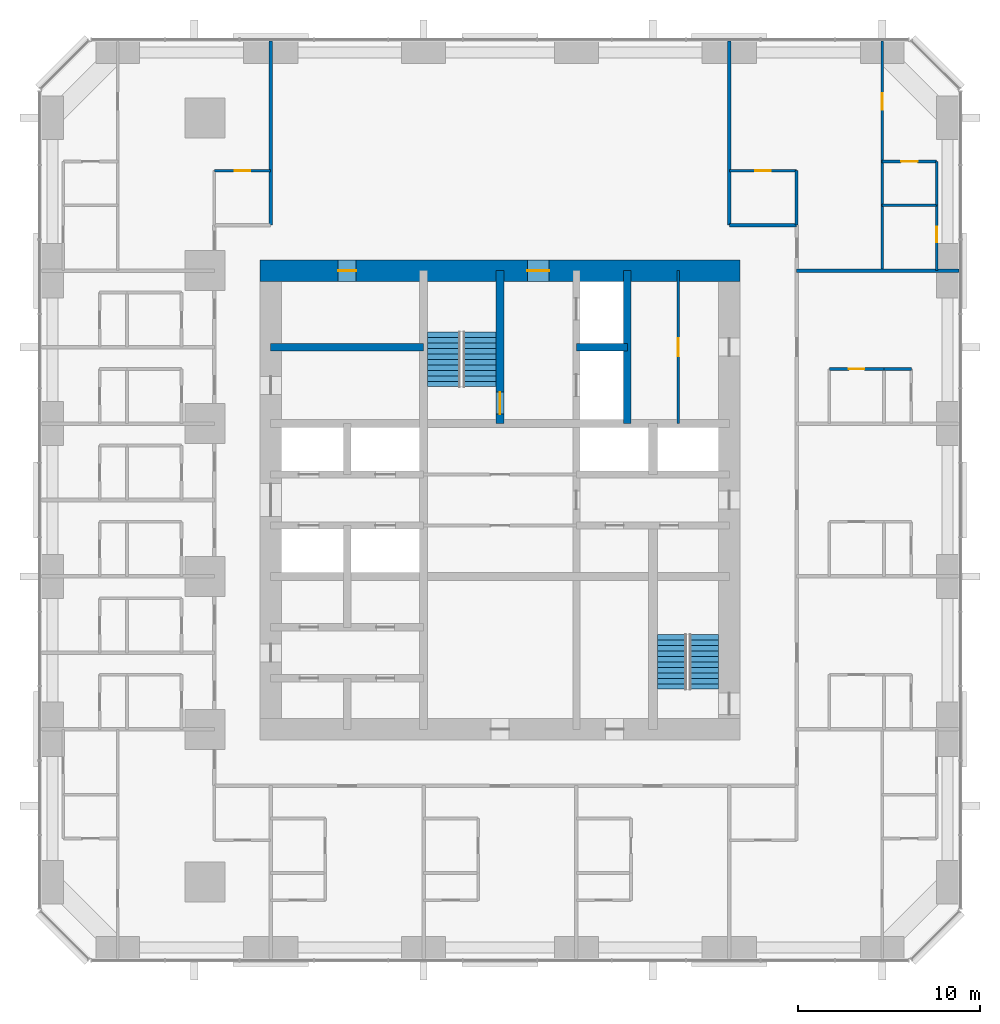
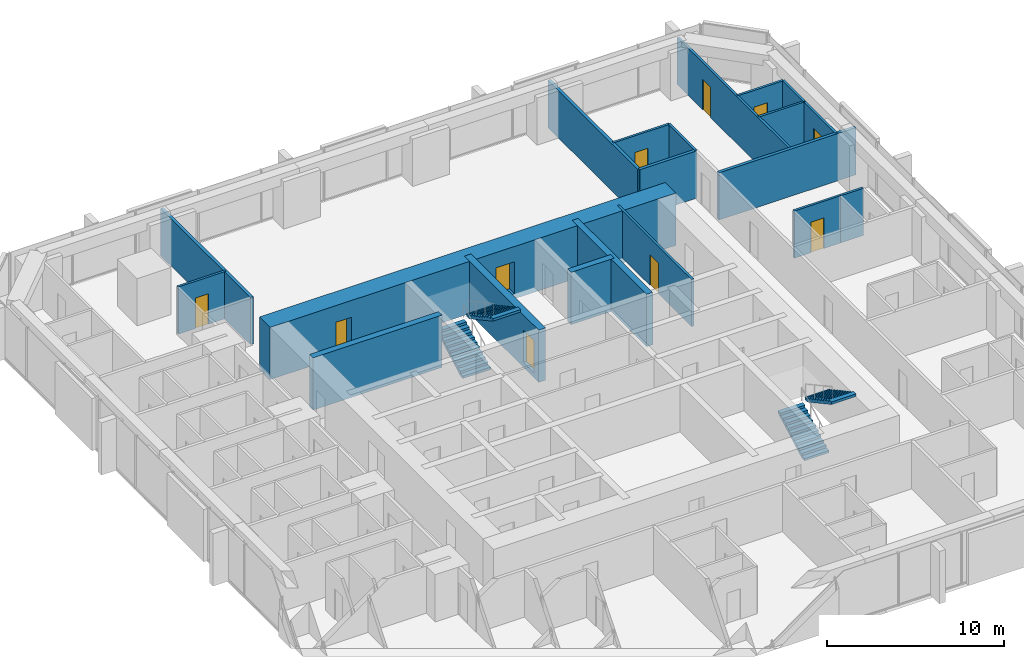
# One storey, part 12 of 13: 20 walls, 10 doors, 4 stair flights, 10 openings, 2 elements without a shape of their own.
"""IFC4 building model written with IfcOpenShell, lengths in metres."""

from ifc_helpers import new_model, si_unit, direction, frame, frame_2d, origin, place, context, subcontext, project, spatial, polyline, rectangle, outline, extrude, material, layer, layer_set, type_object, element, fill, aggregate, save


model = new_model("IFC4")

# Units and contexts
model_context = context("Model", 3, precision=1e-05, world=origin(), true_north=direction((0.0, 1.0)))
body_context = subcontext(model_context, "Body", "Model", "MODEL_VIEW")
ifc_project = project(units=[si_unit("LENGTHUNIT", "METRE"), si_unit("AREAUNIT", "SQUARE_METRE"), si_unit("VOLUMEUNIT", "CUBIC_METRE"), si_unit("PLANEANGLEUNIT", "RADIAN"), si_unit("MASSUNIT", "GRAM", prefix="KILO")], contexts=[model_context])

# Site, building, storey
site_placement = place(None, origin())
site = spatial("IfcSite", under=ifc_project, at=site_placement, CompositionType="ELEMENT")
building_placement = place(site_placement, origin())
building = spatial("IfcBuilding", under=site, at=building_placement, Name="Dunama Terrace Hotel", CompositionType="ELEMENT")
storey_placement = place(building_placement, frame((0.0, 0.0, 162.60009765625)))
storey = spatial("IfcBuildingStorey", under=building, at=storey_placement, Name="L41", CompositionType="ELEMENT", Elevation=162.60009765625)

# Wall
ifc_material_1 = material(Name="Gypsum board partition", Category="masonry")
ifc_layer_1 = layer(ifc_material_1, 0.14990234375)
ifc_layer_set_1 = layer_set([ifc_layer_1], Name="Bathroom partition 150")
wall_type_1 = type_object("IfcWallType", Name="Bathroom partition 150", PredefinedType="PARTITIONING", material=ifc_layer_set_1)
wall_1_placement = place(storey_placement, frame((45.699951171875, 44.5, 0.0), z_axis=(0.0, 0.0, 1.0), x_axis=(0.0, 1.0, 0.0)))
element("IfcWall", 1, at=wall_1_placement, inside=storey, type_object=wall_type_1, Name="Bathroom partition 150 L41", PredefinedType="PARTITIONING", context=body_context, shape_type="SweptSolid", body=[
    extrude(rectangle(XDim=3.0, YDim=0.14990234375, at=frame_2d((1.5, 0.0))), origin(), (0.0, 0.0, 1.0), 3.25),
])

# Wall, opening, door
wall_2_placement = place(storey_placement, frame((53.39990234375, 42.0, 0.0), z_axis=(0.0, 0.0, 1.0), x_axis=(0.0, 1.0, 0.0)))
wall_2 = element("IfcWall", 2, at=wall_2_placement, inside=storey, type_object=wall_type_1, Name="Bathroom partition 150 L41", PredefinedType="PARTITIONING", context=body_context, shape_type="SweptSolid", body=[
    extrude(rectangle(XDim=3.60009765625, YDim=0.14990234375, at=frame_2d((1.800048828125, 0.0))), origin(), (0.0, 0.0, 1.0), 3.25),
])
opening_1_placement = place(wall_2_placement, frame((1.574951171875, 0.0, 0.0)))
opening_1 = element("IfcOpeningElement", 3, at=opening_1_placement, cuts=wall_2, Name="Opening L41-058", PredefinedType="OPENING", context=body_context, shape_type="SweptSolid", body=[
    extrude(rectangle(XDim=0.85009765625, YDim=2.10009765625, at=frame_2d((0.425048828125, 1.050048828125))), frame((0.0, 0.0849609375, 0.0), z_axis=(0.0, -1.0, 0.0), x_axis=(1.0, 0.0, 0.0)), (0.0, 0.0, 1.0), 0.169921875),
])
ifc_material_2 = material(Name="Timber door with steel frame", Category="steel")
door_type_1 = type_object("IfcDoorType", Name="Bathroom door 850", OperationType="SINGLE_SWING_LEFT", PredefinedType="DOOR", material=ifc_material_2)
door_1_placement = place(opening_1_placement, origin())
door_1 = element("IfcDoor", 4, at=door_1_placement, inside=storey, type_object=door_type_1, Name="Door to en-suite bathroom L41-058, type D2", OperationType="SINGLE_SWING_LEFT", OverallHeight=2.10009765625, OverallWidth=0.85009765625, PredefinedType="DOOR", context=body_context, shape_type="SweptSolid", body=[
    extrude(rectangle(XDim=0.85009765625, YDim=2.10009765625, at=frame_2d((0.425048828125, 1.050048828125))), frame((0.0, 0.02490234375, 0.0), z_axis=(0.0, -1.0, 0.0), x_axis=(1.0, 0.0, 0.0)), (0.0, 0.0, 1.0), 0.050048828125),
])
fill(opening_1, door_1)

wall_3_placement = place(storey_placement, frame((47.5, 36.60009765625, 0.0), z_axis=(0.0, 0.0, 1.0), x_axis=(1.0, 0.0, 0.0)))
wall_3 = element("IfcWall", 5, at=wall_3_placement, inside=storey, type_object=wall_type_1, Name="Bathroom partition 150 L41", PredefinedType="PARTITIONING", context=body_context, shape_type="SweptSolid", body=[
    extrude(rectangle(XDim=3.0, YDim=0.14990234375, at=frame_2d((1.5, 0.0))), origin(), (0.0, 0.0, 1.0), 3.25),
])
opening_2_placement = place(wall_3_placement, frame((1.074951171875, 0.0, 0.0)))
opening_2 = element("IfcOpeningElement", 6, at=opening_2_placement, cuts=wall_3, Name="Opening L41-025", PredefinedType="OPENING", context=body_context, shape_type="SweptSolid", body=[
    extrude(rectangle(XDim=0.85009765625, YDim=2.10009765625, at=frame_2d((0.425048828125, 1.050048828125))), frame((0.0, 0.0849609375, 0.0), z_axis=(0.0, -1.0, 0.0), x_axis=(1.0, 0.0, 0.0)), (0.0, 0.0, 1.0), 0.169921875),
])
door_2_placement = place(opening_2_placement, frame((0.85009765625, 0.0, 0.0), z_axis=(0.0, 0.0, 1.0), x_axis=(-1.0, 0.0, 0.0)))
door_2 = element("IfcDoor", 7, at=door_2_placement, inside=storey, type_object=door_type_1, Name="Door to en-suite bathroom L41-025, type D2", OperationType="SINGLE_SWING_LEFT", OverallHeight=2.10009765625, OverallWidth=0.85009765625, PredefinedType="DOOR", context=body_context, shape_type="SweptSolid", body=[
    extrude(rectangle(XDim=0.85009765625, YDim=2.10009765625, at=frame_2d((0.425048828125, 1.050048828125))), frame((0.0, 0.025146484375, 0.0), z_axis=(0.0, -1.0, 0.0), x_axis=(1.0, 0.0, 0.0)), (0.0, 0.0, 1.0), 0.050048828125),
])
fill(opening_2, door_2)

wall_4_placement = place(storey_placement, frame((13.699951171875, 47.5, 0.0), z_axis=(0.0, 0.0, 1.0), x_axis=(1.0, 0.0, 0.0)))
wall_4 = element("IfcWall", 8, at=wall_4_placement, inside=storey, type_object=wall_type_1, Name="Bathroom partition 150 L41", PredefinedType="PARTITIONING", context=body_context, shape_type="SweptSolid", body=[
    extrude(rectangle(XDim=3.10009765625, YDim=0.14990234375, at=frame_2d((1.550048828125, 0.0))), origin(), (0.0, 0.0, 1.0), 3.25),
])
opening_3_placement = place(wall_4_placement, frame((1.125, 0.0, 0.0)))
opening_3 = element("IfcOpeningElement", 9, at=opening_3_placement, cuts=wall_4, Name="Opening L41-061", PredefinedType="OPENING", context=body_context, shape_type="SweptSolid", body=[
    extrude(rectangle(XDim=0.85009765625, YDim=2.10009765625, at=frame_2d((0.425048828125, 1.050048828125))), frame((0.0, 0.0849609375, 0.0), z_axis=(0.0, -1.0, 0.0), x_axis=(1.0, 0.0, 0.0)), (0.0, 0.0, 1.0), 0.169921875),
])
door_3_placement = place(opening_3_placement, frame((0.85009765625, 0.0, 0.0), z_axis=(0.0, 0.0, 1.0), x_axis=(-1.0, 0.0, 0.0)))
door_3 = element("IfcDoor", 10, at=door_3_placement, inside=storey, type_object=door_type_1, Name="Door to powder room L41-061, type D2", OperationType="SINGLE_SWING_LEFT", OverallHeight=2.10009765625, OverallWidth=0.85009765625, PredefinedType="DOOR", context=body_context, shape_type="SweptSolid", body=[
    extrude(rectangle(XDim=0.85009765625, YDim=2.10009765625, at=frame_2d((0.425048828125, 1.050048828125))), frame((0.0, 0.025146484375, 0.0), z_axis=(0.0, -1.0, 0.0), x_axis=(1.0, 0.0, 0.0)), (0.0, 0.0, 1.0), 0.050048828125),
])
fill(opening_3, door_3)

wall_5_placement = place(storey_placement, frame((42.0, 47.5, 0.0), z_axis=(0.0, 0.0, 1.0), x_axis=(1.0, 0.0, 0.0)))
wall_5 = element("IfcWall", 11, at=wall_5_placement, inside=storey, type_object=wall_type_1, Name="Bathroom partition 150 L41", PredefinedType="PARTITIONING", context=body_context, shape_type="SweptSolid", body=[
    extrude(rectangle(XDim=3.699951171875, YDim=0.14990234375, at=frame_2d((1.85009765625, 0.0))), origin(), (0.0, 0.0, 1.0), 3.25),
])
opening_4_placement = place(wall_5_placement, frame((1.425048828125, 0.0, 0.0)))
opening_4 = element("IfcOpeningElement", 12, at=opening_4_placement, cuts=wall_5, Name="Opening L41-056", PredefinedType="OPENING", context=body_context, shape_type="SweptSolid", body=[
    extrude(rectangle(XDim=0.85009765625, YDim=2.10009765625, at=frame_2d((0.425048828125, 1.050048828125))), frame((0.0, 0.0849609375, 0.0), z_axis=(0.0, -1.0, 0.0), x_axis=(1.0, 0.0, 0.0)), (0.0, 0.0, 1.0), 0.169921875),
])
door_4_placement = place(opening_4_placement, frame((0.85009765625, 0.0, 0.0), z_axis=(0.0, 0.0, 1.0), x_axis=(-1.0, 0.0, 0.0)))
door_4 = element("IfcDoor", 13, at=door_4_placement, inside=storey, type_object=door_type_1, Name="Door to powder room L41-056, type D2", OperationType="SINGLE_SWING_RIGHT", OverallHeight=2.10009765625, OverallWidth=0.85009765625, PredefinedType="DOOR", context=body_context, shape_type="SweptSolid", body=[
    extrude(rectangle(XDim=0.85009765625, YDim=2.10009765625, at=frame_2d((0.425048828125, 1.050048828125))), frame((0.0, 0.025146484375, 0.0), z_axis=(0.0, -1.0, 0.0), x_axis=(1.0, 0.0, 0.0)), (0.0, 0.0, 1.0), 0.050048828125),
])
fill(opening_4, door_4)

# Walls
ifc_material_3 = material(Name="Concrete C50/60", Category="concrete")
ifc_layer_2 = layer(ifc_material_3, 0.39990234375)
ifc_layer_set_2 = layer_set([ifc_layer_2], Name="Core inner wall 400")
wall_type_2 = type_object("IfcWallType", Name="Core inner wall 400", PredefinedType="SHEAR", material=ifc_layer_set_2)
for number, where, z_axis, x_axis, name in (
    (14, (36.39990234375, 33.60009765625, -0.35009765625), (0.0, 0.0, 1.0), (0.0, 1.0, 0.0), "Core inner wall 400 L41"),
    (15, (16.800048828125, 37.800048828125, -0.35009765625), (0.0, 0.0, 1.0), (1.0, 0.0, 0.0), "Core inner wall 400 L41"),
):
    element("IfcWall", number, at=place(storey_placement, frame(where, z_axis=z_axis, x_axis=x_axis)), inside=storey, type_object=wall_type_2, Name=name, PredefinedType="SHEAR", context=body_context, shape_type="SweptSolid", body=[
        extrude(rectangle(XDim=8.39990234375, YDim=0.39990234375, at=frame_2d((4.199951171875, 0.0))), origin(), (0.0, 0.0, 1.0), 3.60009765625),
    ])
wall_6_placement = place(storey_placement, frame((33.60009765625, 37.800048828125, -0.35009765625), z_axis=(0.0, 0.0, 1.0), x_axis=(1.0, 0.0, 0.0)))
element("IfcWall", 16, at=wall_6_placement, inside=storey, type_object=wall_type_2, Name="Core inner wall 400 L41", PredefinedType="SHEAR", context=body_context, shape_type="SweptSolid", body=[
    extrude(rectangle(XDim=2.7998046875, YDim=0.39990234375, at=frame_2d((1.39990234375, 0.0))), origin(), (0.0, 0.0, 1.0), 3.60009765625),
])

# Wall, opening, door
ifc_material_4 = material(Name="Concrete C50/60", Category="concrete")
ifc_layer_3 = layer(ifc_material_4, 0.449951171875)
ifc_layer_set_3 = layer_set([ifc_layer_3], Name="Core inner wall 450")
wall_type_3 = type_object("IfcWallType", Name="Core inner wall 450", PredefinedType="SHEAR", material=ifc_layer_set_3)
wall_7_placement = place(storey_placement, frame((29.39990234375, 33.60009765625, -0.35009765625), z_axis=(0.0, 0.0, 1.0), x_axis=(0.0, 1.0, 0.0)))
wall_7 = element("IfcWall", 17, at=wall_7_placement, inside=storey, type_object=wall_type_3, Name="Core inner wall 450 L41", PredefinedType="SHEAR", context=body_context, shape_type="SweptSolid", body=[
    extrude(rectangle(XDim=8.39990234375, YDim=0.449951171875, at=frame_2d((4.199951171875, 0.0))), origin(), (0.0, 0.0, 1.0), 3.60009765625),
])
opening_5_placement = place(wall_7_placement, frame((0.52490234375, 0.0, 0.35009765625)))
opening_5 = element("IfcOpeningElement", 18, at=opening_5_placement, cuts=wall_7, Name="Opening L41-001", PredefinedType="OPENING", context=body_context, shape_type="SweptSolid", body=[
    extrude(rectangle(XDim=1.199951171875, YDim=2.199951171875, at=frame_2d((0.60009765625, 1.10009765625))), frame((0.0, 0.23486328125, 0.0), z_axis=(0.0, -1.0, 0.0), x_axis=(1.0, 0.0, 0.0)), (0.0, 0.0, 1.0), 0.469970703125),
])
ifc_material_5 = material(Name="Timber door with steel frame", Category="steel")
door_type_2 = type_object("IfcDoorType", Name="Stair door 1200", OperationType="SINGLE_SWING_LEFT", PredefinedType="DOOR", material=ifc_material_5)
door_5_placement = place(opening_5_placement, origin())
door_5 = element("IfcDoor", 19, at=door_5_placement, inside=storey, type_object=door_type_2, Name="Stair door ST1 L41-001, type D5", OperationType="SINGLE_SWING_LEFT", OverallHeight=2.199951171875, OverallWidth=1.199951171875, PredefinedType="DOOR", context=body_context, shape_type="SweptSolid", body=[
    extrude(rectangle(XDim=1.199951171875, YDim=2.199951171875, at=frame_2d((0.60009765625, 1.10009765625))), frame((0.0, 0.02490234375, 0.0), z_axis=(0.0, -1.0, 0.0), x_axis=(1.0, 0.0, 0.0)), (0.0, 0.0, 1.0), 0.050048828125),
])
fill(opening_5, door_5)

# Wall, openings, doors
ifc_material_6 = material(Name="Concrete C60/75", Category="concrete")
ifc_layer_4 = layer(ifc_material_6, 1.199951171875)
ifc_layer_set_4 = layer_set([ifc_layer_4], Name="Core wall 1200")
wall_type_4 = type_object("IfcWallType", Name="Core wall 1200", PredefinedType="SHEAR", material=ifc_layer_set_4)
wall_8_placement = place(storey_placement, frame((42.60009765625, 42.0, -0.35009765625), z_axis=(0.0, 0.0, 1.0), x_axis=(-1.0, 0.0, 0.0)))
wall_8 = element("IfcWall", 20, at=wall_8_placement, inside=storey, type_object=wall_type_4, Name="Core wall north L41", PredefinedType="SHEAR", context=body_context, shape_type="SweptSolid", body=[
    extrude(rectangle(XDim=26.400146484375, YDim=1.199951171875, at=frame_2d((13.2001953125, 0.0))), origin(), (0.0, 0.0, 1.0), 3.60009765625),
])
opening_6_placement = place(wall_8_placement, frame((21.10009765625, 0.0, 0.35009765625)))
opening_6 = element("IfcOpeningElement", 21, at=opening_6_placement, cuts=wall_8, Name="Opening L41-072", PredefinedType="OPENING", context=body_context, shape_type="SweptSolid", body=[
    extrude(rectangle(XDim=1.0, YDim=2.10009765625, at=frame_2d((0.5, 1.050048828125))), frame((0.0, 0.60986328125, 0.0), z_axis=(0.0, -1.0, 0.0), x_axis=(1.0, 0.0, 0.0)), (0.0, 0.0, 1.0), 1.219970703125),
])
opening_7_placement = place(wall_8_placement, frame((10.5, 0.0, 0.35009765625)))
opening_7 = element("IfcOpeningElement", 22, at=opening_7_placement, cuts=wall_8, Name="Opening L41-079", PredefinedType="OPENING", context=body_context, shape_type="SweptSolid", body=[
    extrude(rectangle(XDim=1.199951171875, YDim=2.199951171875, at=frame_2d((0.60009765625, 1.10009765625))), frame((0.0, 0.60986328125, 0.0), z_axis=(0.0, -1.0, 0.0), x_axis=(1.0, 0.0, 0.0)), (0.0, 0.0, 1.0), 1.219970703125),
])
ifc_material_7 = material(Name="Timber door with steel frame", Category="steel")
door_type_3 = type_object("IfcDoorType", Name="Firefighting lobby door 1200", OperationType="SINGLE_SWING_LEFT", PredefinedType="DOOR", material=ifc_material_7)
door_6_placement = place(opening_7_placement, origin())
door_6 = element("IfcDoor", 23, at=door_6_placement, inside=storey, type_object=door_type_3, Name="Door to firefighting lobby L41-079, type D4", OperationType="SINGLE_SWING_RIGHT", OverallHeight=2.199951171875, OverallWidth=1.199951171875, PredefinedType="DOOR", context=body_context, shape_type="SweptSolid", body=[
    extrude(rectangle(XDim=1.199951171875, YDim=2.199951171875, at=frame_2d((0.60009765625, 1.10009765625))), frame((0.0, 0.02490234375, 0.0), z_axis=(0.0, -1.0, 0.0), x_axis=(1.0, 0.0, 0.0)), (0.0, 0.0, 1.0), 0.050048828125),
])
fill(opening_7, door_6)
ifc_material_8 = material(Name="Timber door with steel frame", Category="steel")
door_type_4 = type_object("IfcDoorType", Name="Service door 1000", OperationType="SINGLE_SWING_LEFT", PredefinedType="DOOR", material=ifc_material_8)
door_7_placement = place(opening_6_placement, origin())
door_7 = element("IfcDoor", 24, at=door_7_placement, inside=storey, type_object=door_type_4, Name="Door to communications and riser room L41-072, type D7", OperationType="SINGLE_SWING_LEFT", OverallHeight=2.10009765625, OverallWidth=1.0, PredefinedType="DOOR", context=body_context, shape_type="SweptSolid", body=[
    extrude(rectangle(XDim=1.0, YDim=2.10009765625, at=frame_2d((0.5, 1.050048828125))), frame((0.0, 0.02490234375, 0.0), z_axis=(0.0, -1.0, 0.0), x_axis=(1.0, 0.0, 0.0)), (0.0, 0.0, 1.0), 0.050048828125),
])
fill(opening_6, door_7)

# Walls
ifc_material_9 = material(Name="Concrete blockwork", Category="masonry")
ifc_layer_5 = layer(ifc_material_9, 0.199951171875)
ifc_layer_set_5 = layer_set([ifc_layer_5], Name="Corridor partition 200")
wall_type_5 = type_object("IfcWallType", Name="Corridor partition 200", PredefinedType="PARTITIONING", material=ifc_layer_set_5)
wall_9_placement = place(storey_placement, frame((16.800048828125, 44.5, 0.0), z_axis=(0.0, 0.0, 1.0), x_axis=(0.0, 1.0, 0.0)))
element("IfcWall", 25, at=wall_9_placement, inside=storey, type_object=wall_type_5, Name="Corridor partition 200 L41", PredefinedType="PARTITIONING", context=body_context, shape_type="SweptSolid", body=[
    extrude(rectangle(XDim=10.117919921875, YDim=0.199951171875, at=frame_2d((5.05908203125, 0.0))), origin(), (0.0, 0.0, 1.0), 3.25),
])
wall_10_placement = place(storey_placement, frame((42.0, 44.5, 0.0), z_axis=(0.0, 0.0, 1.0), x_axis=(1.0, 0.0, 0.0)))
element("IfcWall", 26, at=wall_10_placement, inside=storey, type_object=wall_type_5, Name="Corridor partition 200 L41", PredefinedType="PARTITIONING", context=body_context, shape_type="SweptSolid", body=[
    extrude(rectangle(XDim=3.699951171875, YDim=0.199951171875, at=frame_2d((1.85009765625, 0.0))), origin(), (0.0, 0.0, 1.0), 3.25),
])
wall_11_placement = place(storey_placement, frame((42.0, 54.617919921875, 0.0), z_axis=(0.0, 0.0, 1.0), x_axis=(0.0, -1.0, 0.0)))
element("IfcWall", 27, at=wall_11_placement, inside=storey, type_object=wall_type_5, Name="Corridor partition 200 L41", PredefinedType="PARTITIONING", context=body_context, shape_type="SweptSolid", body=[
    extrude(rectangle(XDim=10.117919921875, YDim=0.199951171875, at=frame_2d((5.05908203125, 0.0))), origin(), (0.0, 0.0, 1.0), 3.25),
])
ifc_material_10 = material(Name="Concrete blockwork", Category="masonry")
ifc_layer_6 = layer(ifc_material_10, 0.199951171875)
ifc_layer_set_6 = layer_set([ifc_layer_6], Name="Party wall 200")
wall_type_6 = type_object("IfcWallType", Name="Party wall 200", PredefinedType="PARTITIONING", material=ifc_layer_set_6)
wall_12_placement = place(storey_placement, frame((45.699951171875, 42.0, 0.0), z_axis=(0.0, 0.0, 1.0), x_axis=(1.0, 0.0, 0.0)))
element("IfcWall", 28, at=wall_12_placement, inside=storey, type_object=wall_type_6, Name="Party wall 200 L41", PredefinedType="PARTITIONING", context=body_context, shape_type="SweptSolid", body=[
    extrude(rectangle(XDim=8.91796875, YDim=0.199951171875, at=frame_2d((4.458984375, 0.0))), origin(), (0.0, 0.0, 1.0), 3.25),
])

# Wall, opening, door
ifc_material_11 = material(Name="Gypsum board partition", Category="masonry")
ifc_layer_7 = layer(ifc_material_11, 0.14990234375)
ifc_layer_set_7 = layer_set([ifc_layer_7], Name="Room partition 150")
wall_type_7 = type_object("IfcWallType", Name="Room partition 150", PredefinedType="PARTITIONING", material=ifc_layer_set_7)
wall_13_placement = place(storey_placement, frame((39.199951171875, 33.60009765625, 0.0), z_axis=(0.0, 0.0, 1.0), x_axis=(0.0, 1.0, 0.0)))
wall_13 = element("IfcWall", 29, at=wall_13_placement, inside=storey, type_object=wall_type_7, Name="Room partition 150 L41", PredefinedType="PARTITIONING", context=body_context, shape_type="SweptSolid", body=[
    extrude(rectangle(XDim=8.39990234375, YDim=0.14990234375, at=frame_2d((4.199951171875, 0.0))), origin(), (0.0, 0.0, 1.0), 3.25),
])
opening_8_placement = place(wall_13_placement, frame((3.699951171875, 0.0, 0.0)))
opening_8 = element("IfcOpeningElement", 30, at=opening_8_placement, cuts=wall_13, Name="Opening L41-081", PredefinedType="OPENING", context=body_context, shape_type="SweptSolid", body=[
    extrude(rectangle(XDim=1.0, YDim=2.10009765625, at=frame_2d((0.5, 1.050048828125))), frame((0.0, 0.0849609375, 0.0), z_axis=(0.0, -1.0, 0.0), x_axis=(1.0, 0.0, 0.0)), (0.0, 0.0, 1.0), 0.169921875),
])
door_8_placement = place(opening_8_placement, origin())
door_8 = element("IfcDoor", 31, at=door_8_placement, inside=storey, type_object=door_type_4, Name="Door to housekeeping store L41-081, type D7", OperationType="SINGLE_SWING_LEFT", OverallHeight=2.10009765625, OverallWidth=1.0, PredefinedType="DOOR", context=body_context, shape_type="SweptSolid", body=[
    extrude(rectangle(XDim=1.0, YDim=2.10009765625, at=frame_2d((0.5, 1.050048828125))), frame((0.0, 0.02490234375, 0.0), z_axis=(0.0, -1.0, 0.0), x_axis=(1.0, 0.0, 0.0)), (0.0, 0.0, 1.0), 0.050048828125),
])
fill(opening_8, door_8)

wall_14_placement = place(storey_placement, frame((50.39990234375, 42.0, 0.0), z_axis=(0.0, 0.0, 1.0), x_axis=(0.0, 1.0, 0.0)))
wall_14 = element("IfcWall", 32, at=wall_14_placement, inside=storey, type_object=wall_type_7, Name="Room partition 150 L41", PredefinedType="PARTITIONING", context=body_context, shape_type="SweptSolid", body=[
    extrude(rectangle(XDim=12.617919921875, YDim=0.14990234375, at=frame_2d((6.30908203125, 0.0))), origin(), (0.0, 0.0, 1.0), 3.25),
])
opening_9_placement = place(wall_14_placement, frame((8.85009765625, 0.0, 0.0)))
opening_9 = element("IfcOpeningElement", 33, at=opening_9_placement, cuts=wall_14, Name="Opening L41-057", PredefinedType="OPENING", context=body_context, shape_type="SweptSolid", body=[
    extrude(rectangle(XDim=0.89990234375, YDim=2.10009765625, at=frame_2d((0.449951171875, 1.050048828125))), frame((0.0, 0.0849609375, 0.0), z_axis=(0.0, -1.0, 0.0), x_axis=(1.0, 0.0, 0.0)), (0.0, 0.0, 1.0), 0.169921875),
])
ifc_material_12 = material(Name="Timber door with steel frame", Category="steel")
door_type_5 = type_object("IfcDoorType", Name="Suite internal door 900", OperationType="SINGLE_SWING_LEFT", PredefinedType="DOOR", material=ifc_material_12)
door_9_placement = place(opening_9_placement, frame((0.89990234375, 0.0, 0.0), z_axis=(0.0, 0.0, 1.0), x_axis=(-1.0, 0.0, 0.0)))
door_9 = element("IfcDoor", 34, at=door_9_placement, inside=storey, type_object=door_type_5, Name="Door to corner suite bedroom L41-057, type D16", OperationType="SINGLE_SWING_LEFT", OverallHeight=2.10009765625, OverallWidth=0.89990234375, PredefinedType="DOOR", context=body_context, shape_type="SweptSolid", body=[
    extrude(rectangle(XDim=0.89990234375, YDim=2.10009765625, at=frame_2d((0.449951171875, 1.050048828125))), frame((0.0, 0.025146484375, 0.0), z_axis=(0.0, -1.0, 0.0), x_axis=(1.0, 0.0, 0.0)), (0.0, 0.0, 1.0), 0.050048828125),
])
fill(opening_9, door_9)

# Walls
wall_15_placement = place(storey_placement, frame((53.39990234375, 45.60009765625, 0.0), z_axis=(0.0, 0.0, 1.0), x_axis=(0.0, 1.0, 0.0)))
element("IfcWall", 35, at=wall_15_placement, inside=storey, type_object=wall_type_7, Name="Room partition 150 L41", PredefinedType="PARTITIONING", context=body_context, shape_type="SweptSolid", body=[
    extrude(rectangle(XDim=2.39990234375, YDim=0.14990234375, at=frame_2d((1.199951171875, 0.0))), origin(), (0.0, 0.0, 1.0), 3.25),
])
wall_16_placement = place(storey_placement, frame((50.5, 36.60009765625, 0.0), z_axis=(0.0, 0.0, 1.0), x_axis=(1.0, 0.0, 0.0)))
element("IfcWall", 36, at=wall_16_placement, inside=storey, type_object=wall_type_7, Name="Room partition 150 L41", PredefinedType="PARTITIONING", context=body_context, shape_type="SweptSolid", body=[
    extrude(rectangle(XDim=1.5, YDim=0.14990234375, at=frame_2d((0.75, 0.0))), origin(), (0.0, 0.0, 1.0), 3.25),
])
wall_17_placement = place(storey_placement, frame((50.39990234375, 45.60009765625, 0.0), z_axis=(0.0, 0.0, 1.0), x_axis=(1.0, 0.0, 0.0)))
element("IfcWall", 37, at=wall_17_placement, inside=storey, type_object=wall_type_7, Name="Room partition 150 L41", PredefinedType="PARTITIONING", context=body_context, shape_type="SweptSolid", body=[
    extrude(rectangle(XDim=3.0, YDim=0.14990234375, at=frame_2d((1.5, 0.0))), origin(), (0.0, 0.0, 1.0), 3.25),
])

# Wall, opening, door
wall_18_placement = place(storey_placement, frame((50.39990234375, 48.0, 0.0), z_axis=(0.0, 0.0, 1.0), x_axis=(1.0, 0.0, 0.0)))
wall_18 = element("IfcWall", 38, at=wall_18_placement, inside=storey, type_object=wall_type_7, Name="Room partition 150 L41", PredefinedType="PARTITIONING", context=body_context, shape_type="SweptSolid", body=[
    extrude(rectangle(XDim=3.0, YDim=0.14990234375, at=frame_2d((1.5, 0.0))), origin(), (0.0, 0.0, 1.0), 3.25),
])
opening_10_placement = place(wall_18_placement, frame((1.050048828125, 0.0, 0.0)))
opening_10 = element("IfcOpeningElement", 39, at=opening_10_placement, cuts=wall_18, Name="Opening L41-059", PredefinedType="OPENING", context=body_context, shape_type="SweptSolid", body=[
    extrude(rectangle(XDim=0.89990234375, YDim=2.10009765625, at=frame_2d((0.449951171875, 1.050048828125))), frame((0.0, 0.0849609375, 0.0), z_axis=(0.0, -1.0, 0.0), x_axis=(1.0, 0.0, 0.0)), (0.0, 0.0, 1.0), 0.169921875),
])
door_10_placement = place(opening_10_placement, frame((0.89990234375, 0.0, 0.0), z_axis=(0.0, 0.0, 1.0), x_axis=(-1.0, 0.0, 0.0)))
door_10 = element("IfcDoor", 40, at=door_10_placement, inside=storey, type_object=door_type_5, Name="Door to dressing room L41-059, type D16", OperationType="SINGLE_SWING_RIGHT", OverallHeight=2.10009765625, OverallWidth=0.89990234375, PredefinedType="DOOR", context=body_context, shape_type="SweptSolid", body=[
    extrude(rectangle(XDim=0.89990234375, YDim=2.10009765625, at=frame_2d((0.449951171875, 1.050048828125))), frame((0.0, 0.025146484375, 0.0), z_axis=(0.0, -1.0, 0.0), x_axis=(1.0, 0.0, 0.0)), (0.0, 0.0, 1.0), 0.050048828125),
])
fill(opening_10, door_10)

# Stair, stair flights
ifc_material_13 = material(Name="Concrete C40/50", Category="concrete")
stair_type_1 = type_object("IfcStairType", Name="Stair ST1-3600-1800", PredefinedType="HALF_TURN_STAIR", material=ifc_material_13)
stair_1_placement = place(storey_placement, origin())
stair_1 = element("IfcStair", 41, at=stair_1_placement, inside=storey, type_object=stair_type_1, Name="Stair ST1 L41", PredefinedType="HALF_TURN_STAIR")
ifc_material_14 = material(Name="Concrete C40/50", Category="concrete")
stair_flight_type_1 = type_object("IfcStairFlightType", Name="Stair flight ST1-3600-1800", PredefinedType="STRAIGHT", material=ifc_material_14)
stair_flight_1_placement = place(storey_placement, frame((26.324951171875, 35.625, 0.0), z_axis=(0.0, 0.0, 1.0), x_axis=(0.0, 1.0, 0.0)))
stair_flight_1 = element("IfcStairFlight", 42, at=stair_flight_1_placement, type_object=stair_flight_type_1, Name="ST1 flight 1", NumberOfRisers=11, NumberOfTreads=10, PredefinedType="STRAIGHT", RiserHeight=0.163636364, TreadLength=0.3, context=body_context, shape_type="SweptSolid", body=[
    extrude(outline(polyline([(0.0, 0.0), (0.0, 0.16357421875), (0.300048828125, 0.16357421875), (0.300048828125, 0.327392578125), (0.60009765625, 0.327392578125), (0.60009765625, 0.490966796875), (0.89990234375, 0.490966796875), (0.89990234375, 0.654541015625), (1.199951171875, 0.654541015625), (1.199951171875, 0.818115234375), (1.5, 0.818115234375), (1.5, 0.98193359375), (1.800048828125, 0.98193359375), (1.800048828125, 1.1455078125), (2.10009765625, 1.1455078125), (2.10009765625, 1.30908203125), (2.39990234375, 1.30908203125), (2.39990234375, 1.47265625), (2.699951171875, 1.47265625), (2.699951171875, 1.636474609375), (3.0, 1.636474609375), (3.0, 1.800048828125), (3.0, 1.465576171875), (0.31298828125, 0.0), (0.0, 0.0)])), frame((0.0, 0.89990234375, 0.0), z_axis=(0.0, -1.0, 0.0), x_axis=(1.0, 0.0, 0.0)), (0.0, 0.0, 1.0), 1.800048828125),
])
stair_flight_2_placement = place(storey_placement, frame((28.27490234375, 38.625, 1.7998046875), z_axis=(0.0, 0.0, 1.0), x_axis=(0.0, -1.0, 0.0)))
stair_flight_2 = element("IfcStairFlight", 43, at=stair_flight_2_placement, type_object=stair_flight_type_1, Name="ST1 flight 2", NumberOfRisers=11, NumberOfTreads=10, PredefinedType="STRAIGHT", RiserHeight=0.163636364, TreadLength=0.3, context=body_context, shape_type="SweptSolid", body=[
    extrude(outline(polyline([(0.0, 0.0), (0.0, 0.16357421875), (0.300048828125, 0.16357421875), (0.300048828125, 0.327392578125), (0.60009765625, 0.327392578125), (0.60009765625, 0.490966796875), (0.89990234375, 0.490966796875), (0.89990234375, 0.654541015625), (1.199951171875, 0.654541015625), (1.199951171875, 0.818115234375), (1.5, 0.818115234375), (1.5, 0.98193359375), (1.800048828125, 0.98193359375), (1.800048828125, 1.1455078125), (2.10009765625, 1.1455078125), (2.10009765625, 1.30908203125), (2.39990234375, 1.30908203125), (2.39990234375, 1.47265625), (2.699951171875, 1.47265625), (2.699951171875, 1.636474609375), (3.0, 1.636474609375), (3.0, 1.800048828125), (3.0, 1.465576171875), (0.31298828125, 0.0), (0.0, 0.0)])), frame((0.0, 0.89990234375, 0.0), z_axis=(0.0, -1.0, 0.0), x_axis=(1.0, 0.0, 0.0)), (0.0, 0.0, 1.0), 1.800048828125),
])
aggregate(stair_1, [stair_flight_1, stair_flight_2])

ifc_material_15 = material(Name="Concrete C40/50", Category="concrete")
stair_type_2 = type_object("IfcStairType", Name="Stair ST2-3600-1600", PredefinedType="HALF_TURN_STAIR", material=ifc_material_15)
stair_2_placement = place(storey_placement, origin())
stair_2 = element("IfcStair", 44, at=stair_2_placement, inside=storey, type_object=stair_type_2, Name="Stair ST2 L41", PredefinedType="HALF_TURN_STAIR")
ifc_material_16 = material(Name="Concrete C40/50", Category="concrete")
stair_flight_type_2 = type_object("IfcStairFlightType", Name="Stair flight ST2-3600-1600", PredefinedType="STRAIGHT", material=ifc_material_16)
stair_flight_3_placement = place(storey_placement, frame((38.85009765625, 19.0, 0.0), z_axis=(0.0, 0.0, 1.0), x_axis=(0.0, 1.0, 0.0)))
stair_flight_3 = element("IfcStairFlight", 45, at=stair_flight_3_placement, type_object=stair_flight_type_2, Name="ST2 flight 1", NumberOfRisers=11, NumberOfTreads=10, PredefinedType="STRAIGHT", RiserHeight=0.163636364, TreadLength=0.3, context=body_context, shape_type="SweptSolid", body=[
    extrude(outline(polyline([(0.0, 0.0), (0.0, 0.16357421875), (0.300048828125, 0.16357421875), (0.300048828125, 0.327392578125), (0.60009765625, 0.327392578125), (0.60009765625, 0.490966796875), (0.89990234375, 0.490966796875), (0.89990234375, 0.654541015625), (1.199951171875, 0.654541015625), (1.199951171875, 0.818115234375), (1.5, 0.818115234375), (1.5, 0.98193359375), (1.800048828125, 0.98193359375), (1.800048828125, 1.1455078125), (2.10009765625, 1.1455078125), (2.10009765625, 1.30908203125), (2.39990234375, 1.30908203125), (2.39990234375, 1.47265625), (2.699951171875, 1.47265625), (2.699951171875, 1.636474609375), (3.0, 1.636474609375), (3.0, 1.800048828125), (3.0, 1.465576171875), (0.31298828125, 0.0), (0.0, 0.0)])), frame((0.0, 0.800048828125, 0.0), z_axis=(0.0, -1.0, 0.0), x_axis=(1.0, 0.0, 0.0)), (0.0, 0.0, 1.0), 1.60009765625),
])
stair_flight_4_placement = place(storey_placement, frame((40.60009765625, 22.0, 1.7998046875), z_axis=(0.0, 0.0, 1.0), x_axis=(0.0, -1.0, 0.0)))
stair_flight_4 = element("IfcStairFlight", 46, at=stair_flight_4_placement, type_object=stair_flight_type_2, Name="ST2 flight 2", NumberOfRisers=11, NumberOfTreads=10, PredefinedType="STRAIGHT", RiserHeight=0.163636364, TreadLength=0.3, context=body_context, shape_type="SweptSolid", body=[
    extrude(outline(polyline([(0.0, 0.0), (0.0, 0.16357421875), (0.300048828125, 0.16357421875), (0.300048828125, 0.327392578125), (0.60009765625, 0.327392578125), (0.60009765625, 0.490966796875), (0.89990234375, 0.490966796875), (0.89990234375, 0.654541015625), (1.199951171875, 0.654541015625), (1.199951171875, 0.818115234375), (1.5, 0.818115234375), (1.5, 0.98193359375), (1.800048828125, 0.98193359375), (1.800048828125, 1.1455078125), (2.10009765625, 1.1455078125), (2.10009765625, 1.30908203125), (2.39990234375, 1.30908203125), (2.39990234375, 1.47265625), (2.699951171875, 1.47265625), (2.699951171875, 1.636474609375), (3.0, 1.636474609375), (3.0, 1.800048828125), (3.0, 1.465576171875), (0.31298828125, 0.0), (0.0, 0.0)])), frame((0.0, 0.800048828125, 0.0), z_axis=(0.0, -1.0, 0.0), x_axis=(1.0, 0.0, 0.0)), (0.0, 0.0, 1.0), 1.60009765625),
])
aggregate(stair_2, [stair_flight_3, stair_flight_4])

save(model, "model.ifc")
